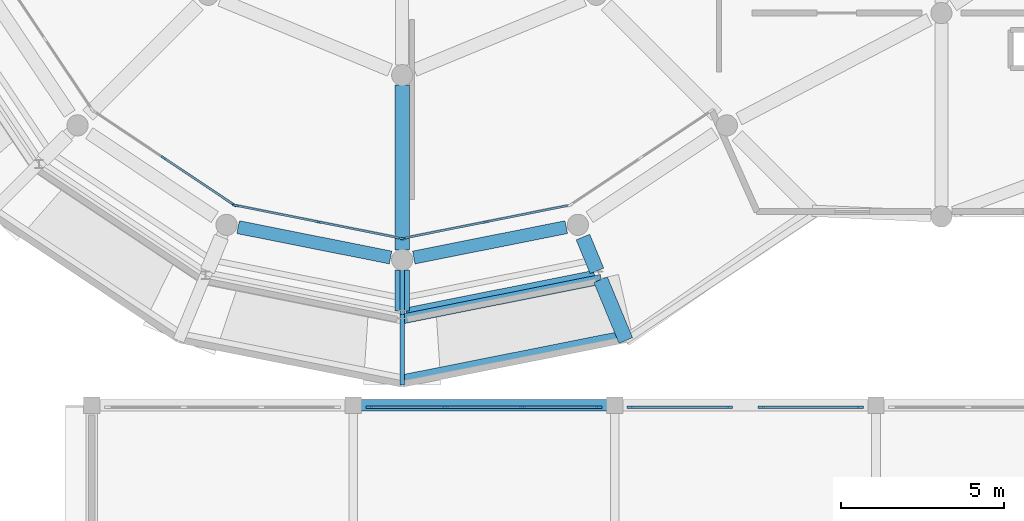
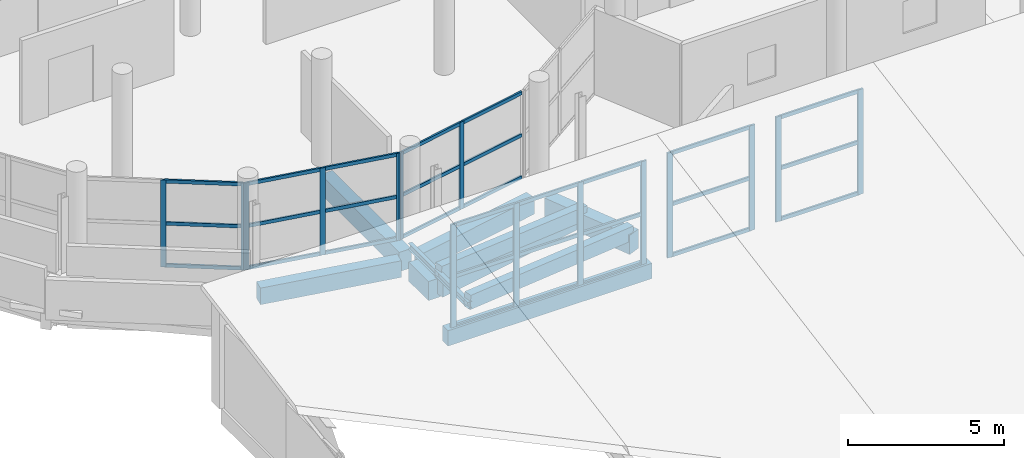
# One storey, part 10 of 83: 45 members, 12 beams, 6 elements without a shape of their own.
"""IFC4 building model written with IfcOpenShell, lengths in metres."""

from ifc_helpers import new_model, si_unit, direction, frame, origin, origin_2d, place, context, subcontext, project, spatial, rectangle, i_section, extrude, material, layer, layer_set, material_profile, profile_set, type_object, element, aggregate, save


model = new_model("IFC4")

# Units and contexts
model_context = context("Model", 3, precision=1e-05, world=origin(), true_north=direction((0.0, 1.0)))
body_context = subcontext(model_context, "Body", "Model", "MODEL_VIEW")
ifc_project = project(units=[si_unit("LENGTHUNIT", "METRE"), si_unit("AREAUNIT", "SQUARE_METRE"), si_unit("VOLUMEUNIT", "CUBIC_METRE"), si_unit("PLANEANGLEUNIT", "RADIAN"), si_unit("MASSUNIT", "GRAM", prefix="KILO")], contexts=[model_context])

# Site, building, storey
site_placement = place(None, origin())
site = spatial("IfcSite", under=ifc_project, at=site_placement, CompositionType="ELEMENT")
building_placement = place(site_placement, origin())
building = spatial("IfcBuilding", under=site, at=building_placement, Name="Jelvoka-Kovrelna Polytechnic", CompositionType="ELEMENT")
storey_placement = place(building_placement, frame((0.0, 0.0, 13.800048828125)))
storey = spatial("IfcBuildingStorey", under=building, at=storey_placement, Name="L04", CompositionType="ELEMENT", Elevation=13.800048828125)

# Beams
ifc_material_1 = material(Name="Concrete C40/50", Category="concrete")
ifc_material_profile_1 = material_profile(ifc_material_1, rectangle(XDim=0.39990234375, YDim=0.64990234375, at=origin_2d()), Name="RC 400x650")
ifc_profile_set_1 = profile_set([ifc_material_profile_1], Name="Concrete C40/50")
beam_type_1 = type_object("IfcBeamType", Name="Beam_RC_400x650", PredefinedType="BEAM", material=ifc_profile_set_1)
for number, where, z_axis, x_axis, name in (
    (1, (20.478515625, 29.44873046875, -0.574951171875), (0.98079325321, -0.195050235727, 0.0), (0.195050235727, 0.98079325321, 0.0), "L04 beam 2561"),
    (2, (25.855224609375, 28.520751953125, -0.574951171875), (0.98079325321, 0.195050235727, 0.0), (-0.195050235727, 0.98079325321, 0.0), "L04 beam 2562"),
):
    element("IfcBeam", number, at=place(storey_placement, frame(where, z_axis=z_axis, x_axis=x_axis)), inside=storey, type_object=beam_type_1, Name=name, PredefinedType="BEAM", context=body_context, shape_type="SweptSolid", body=[
        extrude(rectangle(XDim=0.39990234375, YDim=0.64990234375, at=origin_2d()), origin(), (0.0, 0.0, 1.0), 4.757568359375),
    ])
ifc_material_2 = material(Name="Concrete C40/50", Category="concrete")
ifc_material_profile_2 = material_profile(ifc_material_2, rectangle(XDim=0.449951171875, YDim=0.75, at=origin_2d()), Name="RC 450x750")
ifc_profile_set_2 = profile_set([ifc_material_profile_2], Name="Concrete C40/50")
beam_type_2 = type_object("IfcBeamType", Name="Beam_RC_450x750", PredefinedType="BEAM", material=ifc_profile_set_2)
beam_1_placement = place(storey_placement, frame((25.5, 33.794921875, -0.625), z_axis=(0.0, -1.0, 0.0), x_axis=(1.0, 0.0, 0.0)))
element("IfcBeam", 3, at=beam_1_placement, inside=storey, type_object=beam_type_2, Name="L04 beam 2543", PredefinedType="BEAM", context=body_context, shape_type="SweptSolid", body=[
    extrude(rectangle(XDim=0.449951171875, YDim=0.75, at=origin_2d()), origin(), (0.0, 0.0, 1.0), 5.0400390625),
])
beam_2_placement = place(storey_placement, frame((25.5, 28.14501953125, -0.625), z_axis=(0.0, -1.0, 0.0), x_axis=(1.0, 0.0, 0.0)))
element("IfcBeam", 4, at=beam_2_placement, inside=storey, type_object=beam_type_2, Name="L04 beam 2575", PredefinedType="BEAM", context=body_context, shape_type="SweptSolid", body=[
    extrude(rectangle(XDim=0.449951171875, YDim=0.75, at=origin_2d()), origin(), (0.0, 0.0, 1.0), 1.258056640625),
])
beam_3_placement = place(storey_placement, frame((31.031494140625, 29.145751953125, -0.625), z_axis=(0.382679177001, -0.923881295129, 0.0), x_axis=(0.923881295129, 0.382679177001, 0.0)))
element("IfcBeam", 5, at=beam_3_placement, inside=storey, type_object=beam_type_2, Name="L04 beam 2576", PredefinedType="BEAM", context=body_context, shape_type="SweptSolid", body=[
    extrude(rectangle(XDim=0.449951171875, YDim=0.75, at=origin_2d()), origin(), (0.0, 0.0, 1.0), 1.11962890625),
])
beam_4_placement = place(storey_placement, frame((31.571533203125, 27.841796875, -0.625), z_axis=(0.38266938507, -0.923885350966, 0.0), x_axis=(0.923885350966, 0.38266938507, 0.0)))
element("IfcBeam", 6, at=beam_4_placement, inside=storey, type_object=beam_type_2, Name="L04 beam 2577", PredefinedType="BEAM", context=body_context, shape_type="SweptSolid", body=[
    extrude(rectangle(XDim=0.449951171875, YDim=0.75, at=origin_2d()), origin(), (0.0, 0.0, 1.0), 2.01416015625),
])

# Curtain wall, members
ifc_material_3 = material(Name="Anodised aluminium 6063-T6", Category="aluminium")
ifc_layer_1 = layer(ifc_material_3, 0.199951171875)
ifc_layer_set_1 = layer_set([ifc_layer_1], Name="Anodised aluminium 6063-T6")
curtain_wall_type_1 = type_object("IfcCurtainWallType", Name="CW_Clerestory", PredefinedType="NOTDEFINED", material=ifc_layer_set_1)
curtain_wall_1_placement = place(storey_placement, origin())
curtain_wall_1 = element("IfcCurtainWall", 7, at=curtain_wall_1_placement, inside=storey, type_object=curtain_wall_type_1, Name="L04 glazed curtain wall 299", PredefinedType="NOTDEFINED")
ifc_material_4 = material(Name="Anodised aluminium 6063-T6", Category="aluminium")
ifc_material_profile_3 = material_profile(ifc_material_4, rectangle(XDim=0.070068359375, YDim=0.199951171875, at=origin_2d()), Name="ALU 70x200")
ifc_profile_set_3 = profile_set([ifc_material_profile_3], Name="Anodised aluminium 6063-T6")
member_type_1 = type_object("IfcMemberType", Name="Mullion_M-03", PredefinedType="MULLION", material=ifc_profile_set_3)
member_1_placement = place(storey_placement, frame((24.485107421875, 23.93994140625, -0.02490234375), z_axis=(0.0, 0.0, 1.0), x_axis=(0.0, 1.0, 0.0)))
member_1 = element("IfcMember", 8, at=member_1_placement, type_object=member_type_1, Name="CW-03 mullion 1", PredefinedType="MULLION", context=body_context, shape_type="SweptSolid", body=[
    extrude(rectangle(XDim=0.070068359375, YDim=0.199951171875, at=origin_2d()), origin(), (0.0, 0.0, 1.0), 4.10009765625),
])
member_2_placement = place(storey_placement, frame((26.816650390625, 23.93994140625, -0.02490234375), z_axis=(0.0, 0.0, 1.0), x_axis=(0.0, 1.0, 0.0)))
member_2 = element("IfcMember", 9, at=member_2_placement, type_object=member_type_1, Name="CW-03 mullion 2", PredefinedType="MULLION", context=body_context, shape_type="SweptSolid", body=[
    extrude(rectangle(XDim=0.070068359375, YDim=0.199951171875, at=origin_2d()), origin(), (0.0, 0.0, 1.0), 4.10009765625),
])
member_3_placement = place(storey_placement, frame((29.183349609375, 23.93994140625, -0.02490234375), z_axis=(0.0, 0.0, 1.0), x_axis=(0.0, 1.0, 0.0)))
member_3 = element("IfcMember", 10, at=member_3_placement, type_object=member_type_1, Name="CW-03 mullion 3", PredefinedType="MULLION", context=body_context, shape_type="SweptSolid", body=[
    extrude(rectangle(XDim=0.070068359375, YDim=0.199951171875, at=origin_2d()), origin(), (0.0, 0.0, 1.0), 4.10009765625),
])
member_4_placement = place(storey_placement, frame((31.514892578125, 23.93994140625, -0.02490234375), z_axis=(0.0, 0.0, 1.0), x_axis=(0.0, 1.0, 0.0)))
member_4 = element("IfcMember", 11, at=member_4_placement, type_object=member_type_1, Name="CW-03 mullion 4", PredefinedType="MULLION", context=body_context, shape_type="SweptSolid", body=[
    extrude(rectangle(XDim=0.070068359375, YDim=0.199951171875, at=origin_2d()), origin(), (0.0, 0.0, 1.0), 4.10009765625),
])

curtain_wall_2_placement = place(storey_placement, origin())
curtain_wall_2 = element("IfcCurtainWall", 12, at=curtain_wall_2_placement, inside=storey, type_object=curtain_wall_type_1, Name="L04 glazed curtain wall 300", PredefinedType="NOTDEFINED")
member_5_placement = place(storey_placement, frame((32.485107421875, 23.93994140625, -0.02490234375), z_axis=(0.0, 0.0, 1.0), x_axis=(0.0, 1.0, 0.0)))
member_5 = element("IfcMember", 13, at=member_5_placement, type_object=member_type_1, Name="CW-03 mullion 1", PredefinedType="MULLION", context=body_context, shape_type="SweptSolid", body=[
    extrude(rectangle(XDim=0.070068359375, YDim=0.199951171875, at=origin_2d()), origin(), (0.0, 0.0, 1.0), 4.10009765625),
])
member_6_placement = place(storey_placement, frame((35.514892578125, 23.93994140625, -0.02490234375), z_axis=(0.0, 0.0, 1.0), x_axis=(0.0, 1.0, 0.0)))
member_6 = element("IfcMember", 14, at=member_6_placement, type_object=member_type_1, Name="CW-03 mullion 2", PredefinedType="MULLION", context=body_context, shape_type="SweptSolid", body=[
    extrude(rectangle(XDim=0.070068359375, YDim=0.199951171875, at=origin_2d()), origin(), (0.0, 0.0, 1.0), 4.10009765625),
])

curtain_wall_3_placement = place(storey_placement, origin())
curtain_wall_3 = element("IfcCurtainWall", 15, at=curtain_wall_3_placement, inside=storey, type_object=curtain_wall_type_1, Name="L04 glazed curtain wall 301", PredefinedType="NOTDEFINED")
member_7_placement = place(storey_placement, frame((36.485107421875, 23.93994140625, -0.02490234375), z_axis=(0.0, 0.0, 1.0), x_axis=(0.0, 1.0, 0.0)))
member_7 = element("IfcMember", 16, at=member_7_placement, type_object=member_type_1, Name="CW-03 mullion 1", PredefinedType="MULLION", context=body_context, shape_type="SweptSolid", body=[
    extrude(rectangle(XDim=0.070068359375, YDim=0.199951171875, at=origin_2d()), origin(), (0.0, 0.0, 1.0), 4.10009765625),
])
member_8_placement = place(storey_placement, frame((39.514892578125, 23.93994140625, -0.02490234375), z_axis=(0.0, 0.0, 1.0), x_axis=(0.0, 1.0, 0.0)))
member_8 = element("IfcMember", 17, at=member_8_placement, type_object=member_type_1, Name="CW-03 mullion 2", PredefinedType="MULLION", context=body_context, shape_type="SweptSolid", body=[
    extrude(rectangle(XDim=0.070068359375, YDim=0.199951171875, at=origin_2d()), origin(), (0.0, 0.0, 1.0), 4.10009765625),
])

ifc_material_5 = material(Name="Anodised aluminium 6063-T6", Category="aluminium")
ifc_layer_2 = layer(ifc_material_5, 0.179931640625)
ifc_layer_set_2 = layer_set([ifc_layer_2], Name="Anodised aluminium 6063-T6")
curtain_wall_type_2 = type_object("IfcCurtainWallType", Name="CW_Pavilion", PredefinedType="NOTDEFINED", material=ifc_layer_set_2)
curtain_wall_4_placement = place(storey_placement, origin())
curtain_wall_4 = element("IfcCurtainWall", 18, at=curtain_wall_4_placement, inside=storey, type_object=curtain_wall_type_2, Name="L04 glazed curtain wall 251", PredefinedType="NOTDEFINED")
ifc_material_6 = material(Name="Anodised aluminium 6063-T6", Category="aluminium")
ifc_material_profile_4 = material_profile(ifc_material_6, rectangle(XDim=0.06494140625, YDim=0.179931640625, at=origin_2d()), Name="ALU 65x180")
ifc_profile_set_4 = profile_set([ifc_material_profile_4], Name="Anodised aluminium 6063-T6")
member_type_2 = type_object("IfcMemberType", Name="Mullion_M-05", PredefinedType="MULLION", material=ifc_profile_set_4)
member_9_placement = place(storey_placement, frame((20.344970703125, 30.137939453125, -0.02490234375), z_axis=(0.0, 0.0, 1.0), x_axis=(-0.555582639326, -0.83146132254, 0.0)))
member_9 = element("IfcMember", 19, at=member_9_placement, type_object=member_type_2, Name="CW-05 mullion 1", PredefinedType="MULLION", context=body_context, shape_type="SweptSolid", body=[
    extrude(rectangle(XDim=0.06494140625, YDim=0.179931640625, at=origin_2d()), origin(), (0.0, 0.0, 1.0), 3.39990234375),
])
member_10_placement = place(storey_placement, frame((18.198486328125, 31.572509765625, -0.02490234375), z_axis=(0.0, 0.0, 1.0), x_axis=(-0.555582639326, -0.83146132254, 0.0)))
member_10 = element("IfcMember", 20, at=member_10_placement, type_object=member_type_2, Name="CW-05 mullion 2", PredefinedType="MULLION", context=body_context, shape_type="SweptSolid", body=[
    extrude(rectangle(XDim=0.06494140625, YDim=0.179931640625, at=origin_2d()), origin(), (0.0, 0.0, 1.0), 3.39990234375),
])

curtain_wall_5_placement = place(storey_placement, origin())
curtain_wall_5 = element("IfcCurtainWall", 21, at=curtain_wall_5_placement, inside=storey, type_object=curtain_wall_type_2, Name="L04 glazed curtain wall 252", PredefinedType="NOTDEFINED")
member_11_placement = place(storey_placement, frame((25.468017578125, 29.1064453125, -0.02490234375), z_axis=(0.0, 0.0, 1.0), x_axis=(-0.195086160371, -0.980786108197, 0.0)))
member_11 = element("IfcMember", 22, at=member_11_placement, type_object=member_type_2, Name="CW-05 mullion 1", PredefinedType="MULLION", context=body_context, shape_type="SweptSolid", body=[
    extrude(rectangle(XDim=0.06494140625, YDim=0.179931640625, at=origin_2d()), origin(), (0.0, 0.0, 1.0), 3.39990234375),
])
member_12_placement = place(storey_placement, frame((22.93603515625, 29.610107421875, -0.02490234375), z_axis=(0.0, 0.0, 1.0), x_axis=(-0.195086160371, -0.980786108197, 0.0)))
member_12 = element("IfcMember", 23, at=member_12_placement, type_object=member_type_2, Name="CW-05 mullion 2", PredefinedType="MULLION", context=body_context, shape_type="SweptSolid", body=[
    extrude(rectangle(XDim=0.06494140625, YDim=0.179931640625, at=origin_2d()), origin(), (0.0, 0.0, 1.0), 3.39990234375),
])
member_13_placement = place(storey_placement, frame((20.40380859375, 30.11376953125, -0.02490234375), z_axis=(0.0, 0.0, 1.0), x_axis=(-0.195086160371, -0.980786108197, 0.0)))
member_13 = element("IfcMember", 24, at=member_13_placement, type_object=member_type_2, Name="CW-05 mullion 3", PredefinedType="MULLION", context=body_context, shape_type="SweptSolid", body=[
    extrude(rectangle(XDim=0.06494140625, YDim=0.179931640625, at=origin_2d()), origin(), (0.0, 0.0, 1.0), 3.39990234375),
])

curtain_wall_6_placement = place(storey_placement, origin())
curtain_wall_6 = element("IfcCurtainWall", 25, at=curtain_wall_6_placement, inside=storey, type_object=curtain_wall_type_2, Name="L04 glazed curtain wall 253", PredefinedType="NOTDEFINED")
member_14_placement = place(storey_placement, frame((28.06396484375, 29.610107421875, -0.02490234375), z_axis=(0.0, 0.0, 1.0), x_axis=(0.195086160371, -0.980786108197, 0.0)))
member_14 = element("IfcMember", 26, at=member_14_placement, type_object=member_type_2, Name="CW-05 mullion 2", PredefinedType="MULLION", context=body_context, shape_type="SweptSolid", body=[
    extrude(rectangle(XDim=0.06494140625, YDim=0.179931640625, at=origin_2d()), origin(), (0.0, 0.0, 1.0), 3.39990234375),
])
member_15_placement = place(storey_placement, frame((25.531982421875, 29.1064453125, -0.02490234375), z_axis=(0.0, 0.0, 1.0), x_axis=(0.195086160371, -0.980786108197, 0.0)))
member_15 = element("IfcMember", 27, at=member_15_placement, type_object=member_type_2, Name="CW-05 mullion 3", PredefinedType="MULLION", context=body_context, shape_type="SweptSolid", body=[
    extrude(rectangle(XDim=0.06494140625, YDim=0.179931640625, at=origin_2d()), origin(), (0.0, 0.0, 1.0), 3.39990234375),
])

# Beams
ifc_material_7 = material(Name="Structural steel S355JR", Category="steel")
ifc_material_profile_5 = material_profile(ifc_material_7, i_section(OverallWidth=0.14599609375, OverallDepth=0.25146484375, WebThickness=0.006103515625, FlangeThickness=0.008544921875, FilletRadius=0.007568359375, at=origin_2d()), Name="254x146x31 UB")
ifc_profile_set_5 = profile_set([ifc_material_profile_5], Name="Structural steel S355JR")
beam_type_3 = type_object("IfcBeamType", Name="Purlin_Steel_UB254", PredefinedType="JOIST", material=ifc_profile_set_5)
beam_5_placement = place(storey_placement, frame((25.5, 28.449951171875, 0.129150390625), z_axis=(0.0, -1.0, 0.0), x_axis=(1.0, 0.0, 0.0)))
element("IfcBeam", 28, at=beam_5_placement, inside=storey, type_object=beam_type_3, Name="L04 spiral ramp inner tie beam 4.10", PredefinedType="JOIST", context=body_context, shape_type="SweptSolid", body=[
    extrude(i_section(OverallWidth=0.14599609375, OverallDepth=0.25146484375, WebThickness=0.006103515625, FlangeThickness=0.008544921875, FilletRadius=0.007568359375, at=origin_2d()), origin(), (0.0, 0.0, 1.0), 1.669921875),
])
beam_6_placement = place(storey_placement, frame((25.5, 26.780029296875, 0.129150390625), z_axis=(0.0, -1.0, 0.0), x_axis=(1.0, 0.0, 0.0)))
element("IfcBeam", 29, at=beam_6_placement, inside=storey, type_object=beam_type_3, Name="L04 spiral ramp cantilever bracket 4.10", PredefinedType="JOIST", context=body_context, shape_type="SweptSolid", body=[
    extrude(i_section(OverallWidth=0.14599609375, OverallDepth=0.25146484375, WebThickness=0.006103515625, FlangeThickness=0.008544921875, FilletRadius=0.007568359375, at=origin_2d()), origin(), (0.0, 0.0, 1.0), 2.159912109375),
])
ifc_material_8 = material(Name="Concrete C40/50", Category="concrete")
ifc_material_profile_6 = material_profile(ifc_material_8, rectangle(XDim=0.300048828125, YDim=0.550048828125, at=origin_2d()), Name="RC 300x550")
ifc_profile_set_6 = profile_set([ifc_material_profile_6], Name="Concrete C40/50")
beam_type_4 = type_object("IfcBeamType", Name="Spandrel_RC_300x550", PredefinedType="SPANDREL", material=ifc_profile_set_6)
beam_7_placement = place(storey_placement, frame((32.28125, 26.12890625, -0.275146484375), z_axis=(-0.978430417341, -0.194622265834, 0.069253823462), x_axis=(0.195090664524, -0.980785212274, 0.0)))
element("IfcBeam", 30, at=beam_7_placement, inside=storey, type_object=beam_type_4, Name="L04 spiral ramp curved outer stringer 4.11", PredefinedType="SPANDREL", context=body_context, shape_type="SweptSolid", body=[
    extrude(rectangle(XDim=0.300048828125, YDim=0.550048828125, at=origin_2d()), origin(), (0.0, 0.0, 1.0), 6.9306640625),
])
beam_8_placement = place(storey_placement, frame((31.5693359375, 27.847412109375, -0.275146484375), z_axis=(-0.977840520324, -0.194545422909, 0.07733042892), x_axis=(0.195129735209, -0.980777439808, 0.0)))
element("IfcBeam", 31, at=beam_8_placement, inside=storey, type_object=beam_type_4, Name="L04 spiral ramp curved inner stringer 4.11", PredefinedType="SPANDREL", context=body_context, shape_type="SweptSolid", body=[
    extrude(rectangle(XDim=0.300048828125, YDim=0.550048828125, at=origin_2d()), origin(), (0.0, 0.0, 1.0), 6.206787109375),
])
ifc_material_9 = material(Name="Concrete C40/50", Category="concrete")
ifc_material_profile_7 = material_profile(ifc_material_9, rectangle(XDim=0.35009765625, YDim=0.60009765625, at=origin_2d()), Name="RC 350x600")
ifc_profile_set_7 = profile_set([ifc_material_profile_7], Name="Concrete C40/50")
beam_type_5 = type_object("IfcBeamType", Name="Spandrel_RC_350x600", PredefinedType="SPANDREL", material=ifc_profile_set_7)
beam_9_placement = place(storey_placement, frame((24.22998046875, 24.0, -0.25), z_axis=(1.0, 0.0, 0.0), x_axis=(0.0, 1.0, 0.0)))
element("IfcBeam", 32, at=beam_9_placement, inside=storey, type_object=beam_type_5, Name="L04 beam 0241", PredefinedType="SPANDREL", context=body_context, shape_type="SweptSolid", body=[
    extrude(rectangle(XDim=0.35009765625, YDim=0.60009765625, at=origin_2d()), origin(), (0.0, 0.0, 1.0), 7.5400390625),
])
beam_10_placement = place(storey_placement, frame((25.626953125, 26.80517578125, -0.550048828125), z_axis=(0.98078154922, 0.195109079005, 0.0), x_axis=(-0.195109079005, 0.98078154922, 0.0)))
element("IfcBeam", 33, at=beam_10_placement, inside=storey, type_object=beam_type_5, Name="L04 beam 2587", PredefinedType="SPANDREL", context=body_context, shape_type="SweptSolid", body=[
    extrude(rectangle(XDim=0.35009765625, YDim=0.60009765625, at=origin_2d()), origin(), (0.0, 0.0, 1.0), 5.874755859375),
])

# Member
ifc_material_10 = material(Name="Anodised aluminium 6063-T6", Category="aluminium")
ifc_material_profile_8 = material_profile(ifc_material_10, rectangle(XDim=0.070068359375, YDim=0.14501953125, at=origin_2d()), Name="ALU 70x145")
ifc_profile_set_8 = profile_set([ifc_material_profile_8], Name="Anodised aluminium 6063-T6")
member_type_3 = type_object("IfcMemberType", Name="Transom_T-03", PredefinedType="USERDEFINED", material=ifc_profile_set_8)
member_16_placement = place(storey_placement, frame((24.52001953125, 23.93994140625, 0.034912109375), z_axis=(1.0, 0.0, 0.0), x_axis=(0.0, 1.0, 0.0)))
member_16 = element("IfcMember", 34, at=member_16_placement, type_object=member_type_3, Name="CW-03 transom 1.1", ObjectType="TRANSOM", PredefinedType="USERDEFINED", context=body_context, shape_type="SweptSolid", body=[
    extrude(rectangle(XDim=0.070068359375, YDim=0.14501953125, at=origin_2d()), origin(), (0.0, 0.0, 1.0), 2.26171875),
])

member_17_placement = place(storey_placement, frame((24.52001953125, 23.93994140625, 2.02490234375), z_axis=(1.0, 0.0, 0.0), x_axis=(0.0, 1.0, 0.0)))
member_17 = element("IfcMember", 35, at=member_17_placement, type_object=member_type_3, Name="CW-03 transom 1.2", ObjectType="TRANSOM", PredefinedType="USERDEFINED", context=body_context, shape_type="SweptSolid", body=[
    extrude(rectangle(XDim=0.070068359375, YDim=0.14501953125, at=origin_2d()), origin(), (0.0, 0.0, 1.0), 2.26171875),
])

member_18_placement = place(storey_placement, frame((24.52001953125, 23.93994140625, 4.014892578125), z_axis=(1.0, 0.0, 0.0), x_axis=(0.0, 1.0, 0.0)))
member_18 = element("IfcMember", 36, at=member_18_placement, type_object=member_type_3, Name="CW-03 transom 1.3", ObjectType="TRANSOM", PredefinedType="USERDEFINED", context=body_context, shape_type="SweptSolid", body=[
    extrude(rectangle(XDim=0.070068359375, YDim=0.14501953125, at=origin_2d()), origin(), (0.0, 0.0, 1.0), 2.26171875),
])

member_19_placement = place(storey_placement, frame((26.8515625, 23.93994140625, 0.034912109375), z_axis=(1.0, 0.0, 0.0), x_axis=(0.0, 1.0, 0.0)))
member_19 = element("IfcMember", 37, at=member_19_placement, type_object=member_type_3, Name="CW-03 transom 2.1", ObjectType="TRANSOM", PredefinedType="USERDEFINED", context=body_context, shape_type="SweptSolid", body=[
    extrude(rectangle(XDim=0.070068359375, YDim=0.14501953125, at=origin_2d()), origin(), (0.0, 0.0, 1.0), 2.296875),
])

member_20_placement = place(storey_placement, frame((26.8515625, 23.93994140625, 2.02490234375), z_axis=(1.0, 0.0, 0.0), x_axis=(0.0, 1.0, 0.0)))
member_20 = element("IfcMember", 38, at=member_20_placement, type_object=member_type_3, Name="CW-03 transom 2.2", ObjectType="TRANSOM", PredefinedType="USERDEFINED", context=body_context, shape_type="SweptSolid", body=[
    extrude(rectangle(XDim=0.070068359375, YDim=0.14501953125, at=origin_2d()), origin(), (0.0, 0.0, 1.0), 2.296875),
])

member_21_placement = place(storey_placement, frame((26.8515625, 23.93994140625, 4.014892578125), z_axis=(1.0, 0.0, 0.0), x_axis=(0.0, 1.0, 0.0)))
member_21 = element("IfcMember", 39, at=member_21_placement, type_object=member_type_3, Name="CW-03 transom 2.3", ObjectType="TRANSOM", PredefinedType="USERDEFINED", context=body_context, shape_type="SweptSolid", body=[
    extrude(rectangle(XDim=0.070068359375, YDim=0.14501953125, at=origin_2d()), origin(), (0.0, 0.0, 1.0), 2.296875),
])

member_22_placement = place(storey_placement, frame((29.21826171875, 23.93994140625, 0.034912109375), z_axis=(1.0, 0.0, 0.0), x_axis=(0.0, 1.0, 0.0)))
member_22 = element("IfcMember", 40, at=member_22_placement, type_object=member_type_3, Name="CW-03 transom 3.1", ObjectType="TRANSOM", PredefinedType="USERDEFINED", context=body_context, shape_type="SweptSolid", body=[
    extrude(rectangle(XDim=0.070068359375, YDim=0.14501953125, at=origin_2d()), origin(), (0.0, 0.0, 1.0), 2.26171875),
])

member_23_placement = place(storey_placement, frame((29.21826171875, 23.93994140625, 2.02490234375), z_axis=(1.0, 0.0, 0.0), x_axis=(0.0, 1.0, 0.0)))
member_23 = element("IfcMember", 41, at=member_23_placement, type_object=member_type_3, Name="CW-03 transom 3.2", ObjectType="TRANSOM", PredefinedType="USERDEFINED", context=body_context, shape_type="SweptSolid", body=[
    extrude(rectangle(XDim=0.070068359375, YDim=0.14501953125, at=origin_2d()), origin(), (0.0, 0.0, 1.0), 2.26171875),
])

member_24_placement = place(storey_placement, frame((29.21826171875, 23.93994140625, 4.014892578125), z_axis=(1.0, 0.0, 0.0), x_axis=(0.0, 1.0, 0.0)))
member_24 = element("IfcMember", 42, at=member_24_placement, type_object=member_type_3, Name="CW-03 transom 3.3", ObjectType="TRANSOM", PredefinedType="USERDEFINED", context=body_context, shape_type="SweptSolid", body=[
    extrude(rectangle(XDim=0.070068359375, YDim=0.14501953125, at=origin_2d()), origin(), (0.0, 0.0, 1.0), 2.26171875),
])

aggregate(curtain_wall_1, [member_1, member_2, member_3, member_4, member_16, member_17, member_18, member_19, member_20, member_21, member_22, member_23, member_24])

member_25_placement = place(storey_placement, frame((32.52001953125, 23.93994140625, 0.034912109375), z_axis=(1.0, 0.0, 0.0), x_axis=(0.0, 1.0, 0.0)))
member_25 = element("IfcMember", 43, at=member_25_placement, type_object=member_type_3, Name="CW-03 transom 1.1", ObjectType="TRANSOM", PredefinedType="USERDEFINED", context=body_context, shape_type="SweptSolid", body=[
    extrude(rectangle(XDim=0.070068359375, YDim=0.14501953125, at=origin_2d()), origin(), (0.0, 0.0, 1.0), 2.9599609375),
])

member_26_placement = place(storey_placement, frame((32.52001953125, 23.93994140625, 2.02490234375), z_axis=(1.0, 0.0, 0.0), x_axis=(0.0, 1.0, 0.0)))
member_26 = element("IfcMember", 44, at=member_26_placement, type_object=member_type_3, Name="CW-03 transom 1.2", ObjectType="TRANSOM", PredefinedType="USERDEFINED", context=body_context, shape_type="SweptSolid", body=[
    extrude(rectangle(XDim=0.070068359375, YDim=0.14501953125, at=origin_2d()), origin(), (0.0, 0.0, 1.0), 2.9599609375),
])

member_27_placement = place(storey_placement, frame((32.52001953125, 23.93994140625, 4.014892578125), z_axis=(1.0, 0.0, 0.0), x_axis=(0.0, 1.0, 0.0)))
member_27 = element("IfcMember", 45, at=member_27_placement, type_object=member_type_3, Name="CW-03 transom 1.3", ObjectType="TRANSOM", PredefinedType="USERDEFINED", context=body_context, shape_type="SweptSolid", body=[
    extrude(rectangle(XDim=0.070068359375, YDim=0.14501953125, at=origin_2d()), origin(), (0.0, 0.0, 1.0), 2.9599609375),
])

aggregate(curtain_wall_2, [member_5, member_6, member_25, member_26, member_27])

member_28_placement = place(storey_placement, frame((36.52001953125, 23.93994140625, 0.034912109375), z_axis=(1.0, 0.0, 0.0), x_axis=(0.0, 1.0, 0.0)))
member_28 = element("IfcMember", 46, at=member_28_placement, type_object=member_type_3, Name="CW-03 transom 1.1", ObjectType="TRANSOM", PredefinedType="USERDEFINED", context=body_context, shape_type="SweptSolid", body=[
    extrude(rectangle(XDim=0.070068359375, YDim=0.14501953125, at=origin_2d()), origin(), (0.0, 0.0, 1.0), 2.9599609375),
])

member_29_placement = place(storey_placement, frame((36.52001953125, 23.93994140625, 2.02490234375), z_axis=(1.0, 0.0, 0.0), x_axis=(0.0, 1.0, 0.0)))
member_29 = element("IfcMember", 47, at=member_29_placement, type_object=member_type_3, Name="CW-03 transom 1.2", ObjectType="TRANSOM", PredefinedType="USERDEFINED", context=body_context, shape_type="SweptSolid", body=[
    extrude(rectangle(XDim=0.070068359375, YDim=0.14501953125, at=origin_2d()), origin(), (0.0, 0.0, 1.0), 2.9599609375),
])

member_30_placement = place(storey_placement, frame((36.52001953125, 23.93994140625, 4.014892578125), z_axis=(1.0, 0.0, 0.0), x_axis=(0.0, 1.0, 0.0)))
member_30 = element("IfcMember", 48, at=member_30_placement, type_object=member_type_3, Name="CW-03 transom 1.3", ObjectType="TRANSOM", PredefinedType="USERDEFINED", context=body_context, shape_type="SweptSolid", body=[
    extrude(rectangle(XDim=0.070068359375, YDim=0.14501953125, at=origin_2d()), origin(), (0.0, 0.0, 1.0), 2.9599609375),
])

aggregate(curtain_wall_3, [member_7, member_8, member_28, member_29, member_30])

ifc_material_11 = material(Name="Anodised aluminium 6063-T6", Category="aluminium")
ifc_material_profile_9 = material_profile(ifc_material_11, rectangle(XDim=0.06494140625, YDim=0.135009765625, at=origin_2d()), Name="ALU 65x135")
ifc_profile_set_9 = profile_set([ifc_material_profile_9], Name="Anodised aluminium 6063-T6")
member_type_4 = type_object("IfcMemberType", Name="Transom_T-05", PredefinedType="USERDEFINED", material=ifc_profile_set_9)
member_31_placement = place(storey_placement, frame((20.31787109375, 30.156005859375, 0.032470703125), z_axis=(-0.831422966795, 0.555640036612, 0.0), x_axis=(-0.555640036612, -0.831422966795, 0.0)))
member_31 = element("IfcMember", 49, at=member_31_placement, type_object=member_type_4, Name="CW-05 transom 1.1", ObjectType="TRANSOM", PredefinedType="USERDEFINED", context=body_context, shape_type="SweptSolid", body=[
    extrude(rectangle(XDim=0.06494140625, YDim=0.135009765625, at=origin_2d()), origin(), (0.0, 0.0, 1.0), 2.516845703125),
])

member_32_placement = place(storey_placement, frame((20.31787109375, 30.156005859375, 1.675048828125), z_axis=(-0.831422966795, 0.555640036612, 0.0), x_axis=(-0.555640036612, -0.831422966795, 0.0)))
member_32 = element("IfcMember", 50, at=member_32_placement, type_object=member_type_4, Name="CW-05 transom 1.2", ObjectType="TRANSOM", PredefinedType="USERDEFINED", context=body_context, shape_type="SweptSolid", body=[
    extrude(rectangle(XDim=0.06494140625, YDim=0.135009765625, at=origin_2d()), origin(), (0.0, 0.0, 1.0), 2.516845703125),
])

member_33_placement = place(storey_placement, frame((20.31787109375, 30.156005859375, 3.3173828125), z_axis=(-0.831422966795, 0.555640036612, 0.0), x_axis=(-0.555640036612, -0.831422966795, 0.0)))
member_33 = element("IfcMember", 51, at=member_33_placement, type_object=member_type_4, Name="CW-05 transom 1.3", ObjectType="TRANSOM", PredefinedType="USERDEFINED", context=body_context, shape_type="SweptSolid", body=[
    extrude(rectangle(XDim=0.06494140625, YDim=0.135009765625, at=origin_2d()), origin(), (0.0, 0.0, 1.0), 2.516845703125),
])

aggregate(curtain_wall_4, [member_9, member_10, member_31, member_32, member_33])

member_34_placement = place(storey_placement, frame((25.436279296875, 29.11279296875, 0.032470703125), z_axis=(-0.980789047023, 0.195071384983, 0.0), x_axis=(-0.195071384983, -0.980789047023, 0.0)))
member_34 = element("IfcMember", 52, at=member_34_placement, type_object=member_type_4, Name="CW-05 transom 1.1", ObjectType="TRANSOM", PredefinedType="USERDEFINED", context=body_context, shape_type="SweptSolid", body=[
    extrude(rectangle(XDim=0.06494140625, YDim=0.135009765625, at=origin_2d()), origin(), (0.0, 0.0, 1.0), 2.516845703125),
])

member_35_placement = place(storey_placement, frame((25.436279296875, 29.11279296875, 1.675048828125), z_axis=(-0.980789047023, 0.195071384983, 0.0), x_axis=(-0.195071384983, -0.980789047023, 0.0)))
member_35 = element("IfcMember", 53, at=member_35_placement, type_object=member_type_4, Name="CW-05 transom 1.2", ObjectType="TRANSOM", PredefinedType="USERDEFINED", context=body_context, shape_type="SweptSolid", body=[
    extrude(rectangle(XDim=0.06494140625, YDim=0.135009765625, at=origin_2d()), origin(), (0.0, 0.0, 1.0), 2.516845703125),
])

member_36_placement = place(storey_placement, frame((25.436279296875, 29.11279296875, 3.3173828125), z_axis=(-0.980789047023, 0.195071384983, 0.0), x_axis=(-0.195071384983, -0.980789047023, 0.0)))
member_36 = element("IfcMember", 54, at=member_36_placement, type_object=member_type_4, Name="CW-05 transom 1.3", ObjectType="TRANSOM", PredefinedType="USERDEFINED", context=body_context, shape_type="SweptSolid", body=[
    extrude(rectangle(XDim=0.06494140625, YDim=0.135009765625, at=origin_2d()), origin(), (0.0, 0.0, 1.0), 2.516845703125),
])

member_37_placement = place(storey_placement, frame((22.904052734375, 29.616455078125, 0.032470703125), z_axis=(-0.980785355287, 0.195089945547, 0.0), x_axis=(-0.195089945547, -0.980785355287, 0.0)))
member_37 = element("IfcMember", 55, at=member_37_placement, type_object=member_type_4, Name="CW-05 transom 2.1", ObjectType="TRANSOM", PredefinedType="USERDEFINED", context=body_context, shape_type="SweptSolid", body=[
    extrude(rectangle(XDim=0.06494140625, YDim=0.135009765625, at=origin_2d()), origin(), (0.0, 0.0, 1.0), 2.5166015625),
])

member_38_placement = place(storey_placement, frame((22.904052734375, 29.616455078125, 1.675048828125), z_axis=(-0.980785355287, 0.195089945547, 0.0), x_axis=(-0.195089945547, -0.980785355287, 0.0)))
member_38 = element("IfcMember", 56, at=member_38_placement, type_object=member_type_4, Name="CW-05 transom 2.2", ObjectType="TRANSOM", PredefinedType="USERDEFINED", context=body_context, shape_type="SweptSolid", body=[
    extrude(rectangle(XDim=0.06494140625, YDim=0.135009765625, at=origin_2d()), origin(), (0.0, 0.0, 1.0), 2.5166015625),
])

member_39_placement = place(storey_placement, frame((22.904052734375, 29.616455078125, 3.3173828125), z_axis=(-0.980785355287, 0.195089945547, 0.0), x_axis=(-0.195089945547, -0.980785355287, 0.0)))
member_39 = element("IfcMember", 57, at=member_39_placement, type_object=member_type_4, Name="CW-05 transom 2.3", ObjectType="TRANSOM", PredefinedType="USERDEFINED", context=body_context, shape_type="SweptSolid", body=[
    extrude(rectangle(XDim=0.06494140625, YDim=0.135009765625, at=origin_2d()), origin(), (0.0, 0.0, 1.0), 2.5166015625),
])

aggregate(curtain_wall_5, [member_11, member_12, member_13, member_34, member_35, member_36, member_37, member_38, member_39])

member_40_placement = place(storey_placement, frame((30.564208984375, 30.107421875, 0.032470703125), z_axis=(-0.980785355287, -0.195089945547, 0.0), x_axis=(0.195089945547, -0.980785355287, 0.0)))
member_40 = element("IfcMember", 58, at=member_40_placement, type_object=member_type_4, Name="CW-05 transom 1.1", ObjectType="TRANSOM", PredefinedType="USERDEFINED", context=body_context, shape_type="SweptSolid", body=[
    extrude(rectangle(XDim=0.06494140625, YDim=0.135009765625, at=origin_2d()), origin(), (0.0, 0.0, 1.0), 2.5166015625),
])

member_41_placement = place(storey_placement, frame((30.564208984375, 30.107421875, 1.675048828125), z_axis=(-0.980785355287, -0.195089945547, 0.0), x_axis=(0.195089945547, -0.980785355287, 0.0)))
member_41 = element("IfcMember", 59, at=member_41_placement, type_object=member_type_4, Name="CW-05 transom 1.2", ObjectType="TRANSOM", PredefinedType="USERDEFINED", context=body_context, shape_type="SweptSolid", body=[
    extrude(rectangle(XDim=0.06494140625, YDim=0.135009765625, at=origin_2d()), origin(), (0.0, 0.0, 1.0), 2.5166015625),
])

member_42_placement = place(storey_placement, frame((30.564208984375, 30.107421875, 3.3173828125), z_axis=(-0.980785355287, -0.195089945547, 0.0), x_axis=(0.195089945547, -0.980785355287, 0.0)))
member_42 = element("IfcMember", 60, at=member_42_placement, type_object=member_type_4, Name="CW-05 transom 1.3", ObjectType="TRANSOM", PredefinedType="USERDEFINED", context=body_context, shape_type="SweptSolid", body=[
    extrude(rectangle(XDim=0.06494140625, YDim=0.135009765625, at=origin_2d()), origin(), (0.0, 0.0, 1.0), 2.5166015625),
])

member_43_placement = place(storey_placement, frame((28.0322265625, 29.603759765625, 0.032470703125), z_axis=(-0.980789047023, -0.195071384983, 0.0), x_axis=(0.195071384983, -0.980789047023, 0.0)))
member_43 = element("IfcMember", 61, at=member_43_placement, type_object=member_type_4, Name="CW-05 transom 2.1", ObjectType="TRANSOM", PredefinedType="USERDEFINED", context=body_context, shape_type="SweptSolid", body=[
    extrude(rectangle(XDim=0.06494140625, YDim=0.135009765625, at=origin_2d()), origin(), (0.0, 0.0, 1.0), 2.516845703125),
])

member_44_placement = place(storey_placement, frame((28.0322265625, 29.603759765625, 1.675048828125), z_axis=(-0.980789047023, -0.195071384983, 0.0), x_axis=(0.195071384983, -0.980789047023, 0.0)))
member_44 = element("IfcMember", 62, at=member_44_placement, type_object=member_type_4, Name="CW-05 transom 2.2", ObjectType="TRANSOM", PredefinedType="USERDEFINED", context=body_context, shape_type="SweptSolid", body=[
    extrude(rectangle(XDim=0.06494140625, YDim=0.135009765625, at=origin_2d()), origin(), (0.0, 0.0, 1.0), 2.516845703125),
])

member_45_placement = place(storey_placement, frame((28.0322265625, 29.603759765625, 3.3173828125), z_axis=(-0.980789047023, -0.195071384983, 0.0), x_axis=(0.195071384983, -0.980789047023, 0.0)))
member_45 = element("IfcMember", 63, at=member_45_placement, type_object=member_type_4, Name="CW-05 transom 2.3", ObjectType="TRANSOM", PredefinedType="USERDEFINED", context=body_context, shape_type="SweptSolid", body=[
    extrude(rectangle(XDim=0.06494140625, YDim=0.135009765625, at=origin_2d()), origin(), (0.0, 0.0, 1.0), 2.516845703125),
])

aggregate(curtain_wall_6, [member_14, member_15, member_40, member_41, member_42, member_43, member_44, member_45])

save(model, "model.ifc")
